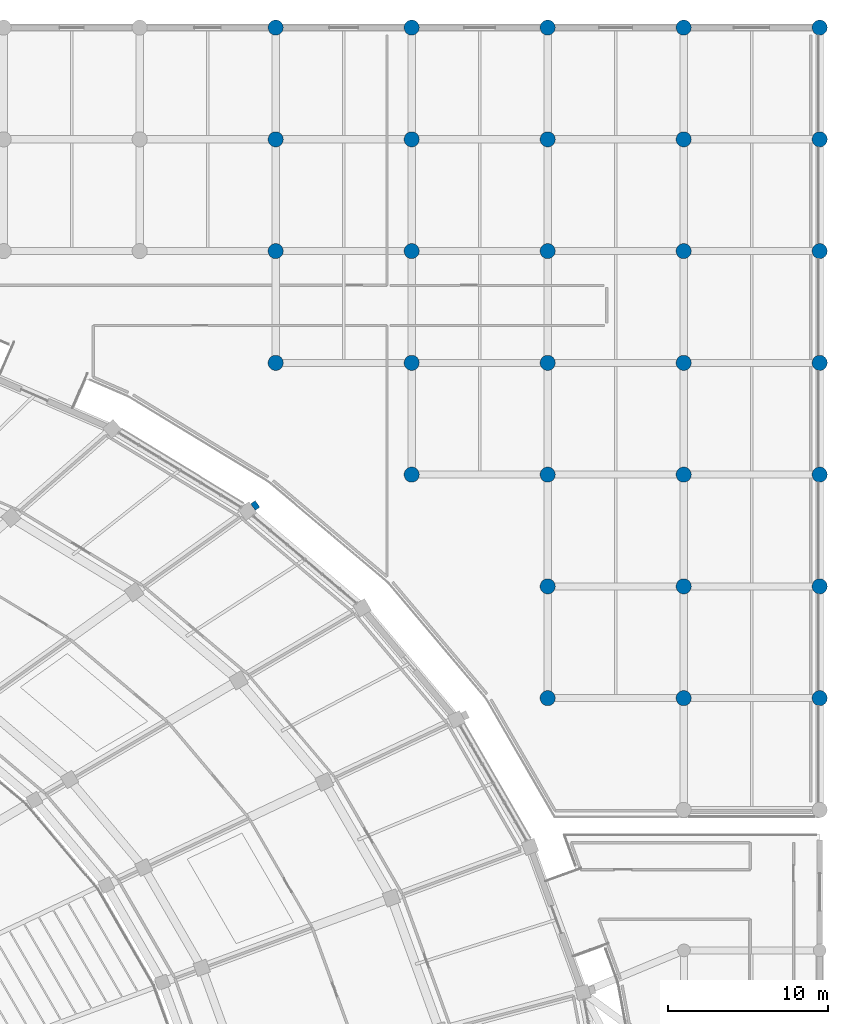
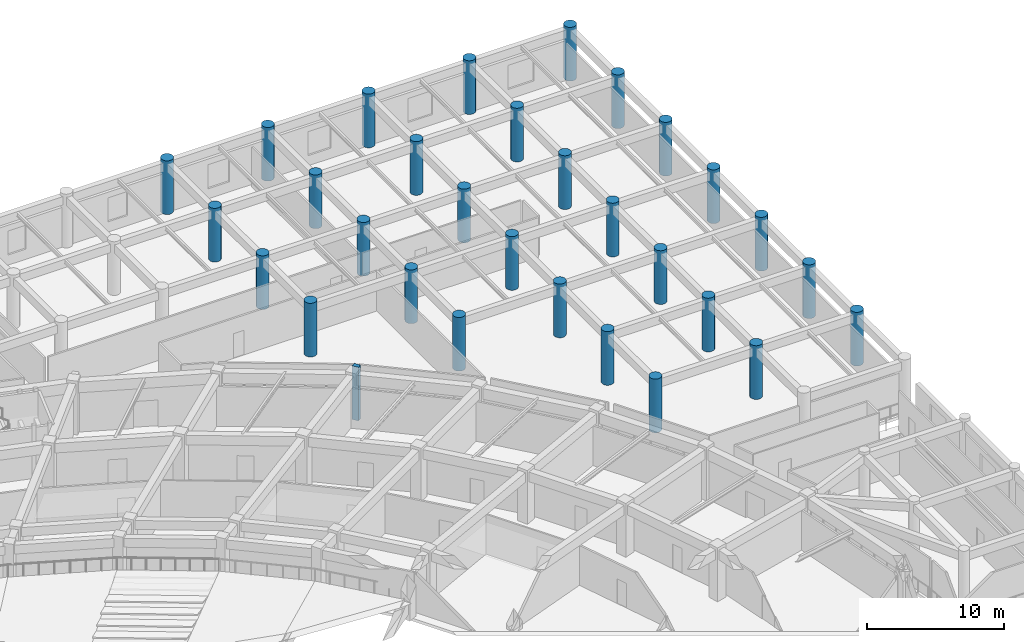
# One storey, part 10 of 152: 31 columns.
"""IFC4 building model written with IfcOpenShell, lengths in metres."""

import ifcopenshell
import ifcopenshell.guid

model = None  # the IFC model being written
_history = None  # IfcOwnerHistory: only IFC2X3 demands one
_inside = {}  # id of a spatial element -> (the spatial element, [elements in it])
_under = {}  # id of a project, library or spatial element -> (it, [spatial elements below it])
_declared = {}  # id of a project -> (the project, [libraries it declares])
_typed = {}  # id of a type object -> (the type object, [elements of that type])
_made_of = {}  # id of a material, layer set ... -> (it, [elements and type objects made of it])


def new_model(schema):
    """Start an empty IFC model of exactly this schema.

    Asked for "IFC4X3", IfcOpenShell would pick the latest addendum, in which some entities
    have other attributes; the version numbers below select the first issue.
    IFC2X3 requires an IfcOwnerHistory on every rooted entity: one is made here for all.
    """
    global model, _history
    if schema == "IFC4X3":
        model = ifcopenshell.file(schema_version=(4, 3, 0, 0))
    else:
        model = ifcopenshell.file(schema=schema)
    _inside.clear()
    _under.clear()
    _declared.clear()
    _typed.clear()
    _made_of.clear()
    _history = None
    if model.schema == "IFC2X3":
        org = make("IfcOrganization", Name="unknown")
        user = make(
            "IfcPersonAndOrganization",
            ThePerson=make("IfcPerson", FamilyName="unknown"),
            TheOrganization=org,
        )
        app = make(
            "IfcApplication",
            ApplicationDeveloper=org,
            Version="unknown",
            ApplicationFullName="unknown",
            ApplicationIdentifier="unknown",
        )
        _history = make(
            "IfcOwnerHistory",
            OwningUser=user,
            OwningApplication=app,
            ChangeAction="ADDED",
            CreationDate=0,
        )
    return model


def make(cls, **values):
    """One entity of the class cls with the attributes given. An attribute that is None is left unset."""
    return model.create_entity(
        cls, **{name: value for name, value in values.items() if value is not None}
    )


def rooted(cls, **values):
    """An entity with a GlobalId (a new one), such as an element, a storey or a relation."""
    return make(cls, GlobalId=ifcopenshell.guid.new(), OwnerHistory=_history, **values)


def si_unit(unit_type, name, prefix=None):
    """IfcSIUnit, for example si_unit("LENGTHUNIT", "METRE", prefix="MILLI")."""
    return make("IfcSIUnit", UnitType=unit_type, Prefix=prefix, Name=name)


def assignment(units):
    """IfcUnitAssignment: the units of a project."""
    return None if units is None else make("IfcUnitAssignment", Units=units)


def point(xyz):
    """IfcCartesianPoint."""
    return None if xyz is None else make("IfcCartesianPoint", Coordinates=xyz)


def direction(xyz):
    """IfcDirection."""
    return None if xyz is None else make("IfcDirection", DirectionRatios=xyz)


def frame(location, z_axis=None, x_axis=None):
    """IfcAxis2Placement3D, a coordinate frame: its origin and axes. An axis left out is left unset."""
    return make(
        "IfcAxis2Placement3D",
        Location=point(location),
        Axis=direction(z_axis),
        RefDirection=direction(x_axis),
    )


def frame_2d(location, x_axis=None):
    """IfcAxis2Placement2D, a coordinate frame in the plane: its origin and x axis."""
    return make(
        "IfcAxis2Placement2D", Location=point(location), RefDirection=direction(x_axis)
    )


def origin():
    """The frame at (0, 0, 0) with its axes left unset."""
    return frame((0.0, 0.0, 0.0))


def origin_2d():
    """The frame at (0, 0) in the plane with its x axis left unset."""
    return frame_2d((0.0, 0.0))


def place(relative_to, where):
    """IfcLocalPlacement: puts the frame where relative to a parent placement (None: the world)."""
    return make(
        "IfcLocalPlacement", PlacementRelTo=relative_to, RelativePlacement=where
    )


def context(
    kind, dimensions, precision=None, world=None, true_north=None, identifier=None
):
    """IfcGeometricRepresentationContext, for example the 3D "Model" context."""
    return make(
        "IfcGeometricRepresentationContext",
        ContextIdentifier=identifier,
        ContextType=kind,
        CoordinateSpaceDimension=dimensions,
        Precision=precision,
        WorldCoordinateSystem=world,
        TrueNorth=true_north,
    )


def subcontext(parent, identifier, kind, view, scale=None):
    """IfcGeometricRepresentationSubContext, for example "Body" below "Model"."""
    return make(
        "IfcGeometricRepresentationSubContext",
        ContextIdentifier=identifier,
        ContextType=kind,
        ParentContext=parent,
        TargetScale=scale,
        TargetView=view,
    )


def project(units=None, contexts=None):
    """IfcProject with its units and contexts."""
    return rooted(
        "IfcProject",
        Name="project",
        RepresentationContexts=contexts,
        UnitsInContext=assignment(units),
    )


def spatial(cls, under=None, at=None, **own):
    """A site, building, storey or space (cls), placed at a placement, below another one or the project."""
    s = rooted(cls, ObjectPlacement=at, **own)
    if under is not None:
        _under.setdefault(under.id(), (under, []))[1].append(s)
    return s


def profile(cls, at=None, kind="AREA", **sizes):
    """A parametric profile (cls). Its sizes go by their IFC names, for example OverallWidth=200.0."""
    return make(cls, ProfileType=kind, Position=at, **sizes)


def rectangle(**sizes):
    """IfcRectangleProfileDef."""
    return profile("IfcRectangleProfileDef", **sizes)


def circle(**sizes):
    """IfcCircleProfileDef."""
    return profile("IfcCircleProfileDef", **sizes)


def extrude(swept, where, along, depth):
    """IfcExtrudedAreaSolid: the profile swept, set in the frame where, extruded along a direction by depth."""
    return make(
        "IfcExtrudedAreaSolid",
        SweptArea=swept,
        Position=where,
        ExtrudedDirection=direction(along),
        Depth=depth,
    )


def shape(context_of_items, identifier, shape_type, items):
    """IfcShapeRepresentation: the items that make up one representation, for example the "Body"."""
    return make(
        "IfcShapeRepresentation",
        ContextOfItems=context_of_items,
        RepresentationIdentifier=identifier,
        RepresentationType=shape_type,
        Items=items,
    )


def material(Name=None, Category=None):
    """IfcMaterial."""
    return make("IfcMaterial", Name=Name, Category=Category)


def material_profile(
    of_material, cross_section, Name=None, Category=None, Priority=None
):
    """IfcMaterialProfile: a cross section and its material."""
    return make(
        "IfcMaterialProfile",
        Name=Name,
        Material=of_material,
        Profile=cross_section,
        Priority=Priority,
        Category=Category,
    )


def profile_set(profiles, Name=None, composite=None):
    """IfcMaterialProfileSet."""
    return make(
        "IfcMaterialProfileSet",
        Name=Name,
        MaterialProfiles=profiles,
        CompositeProfile=composite,
    )


def made_of(thing, what):
    """Note that an element or type object is made of a material, layer set ...; save() writes the relation."""
    if what is not None:
        _made_of.setdefault(what.id(), (what, []))[1].append(thing)
    return thing


def type_object(cls, material=None, **own):
    """A type object (cls), such as IfcWallType, which elements share."""
    return made_of(rooted(cls, **own), material)


def element(
    cls,
    number,
    at=None,
    inside=None,
    cuts=None,
    type_object=None,
    material=None,
    context=None,
    identifier="Body",
    shape_type=None,
    held_by="IfcProductDefinitionShape",
    body=None,
    shapes=None,
    **own,
):
    """One element of the class cls, such as IfcWall. Its Tag is "e" and its number.

    at: its placement. inside: the storey or other place that contains it. cuts: it is an
    opening in that element (IfcRelVoidsElement). A single representation is given by context,
    identifier, shape_type and body (its items); several are given by shapes. held_by: the class
    of the entity that holds the representations. save() writes the other relations.
    """
    e = rooted(cls, Tag="e%d" % number, ObjectPlacement=at, **own)
    if body is not None:
        shapes = [shape(context, identifier, shape_type, body)]
    if shapes is not None:
        e.Representation = make(held_by, Representations=shapes)
    if inside is not None:
        _inside.setdefault(inside.id(), (inside, []))[1].append(e)
    if cuts is not None:
        rooted(
            "IfcRelVoidsElement", RelatingBuildingElement=cuts, RelatedOpeningElement=e
        )
    if type_object is not None:
        _typed.setdefault(type_object.id(), (type_object, []))[1].append(e)
    return made_of(e, material)


def aggregate(whole, parts):
    """IfcRelAggregates: a whole, such as a stair, and the parts it consists of."""
    return rooted("IfcRelAggregates", RelatingObject=whole, RelatedObjects=parts)


def save(model, path):
    """Write the relations noted so far, then the file.

    IfcRelAggregates (storeys below a building ...), IfcRelContainedInSpatialStructure (elements
    in a storey), IfcRelDefinesByType, IfcRelAssociatesMaterial and IfcRelDeclares: one each for
    every whole, place, type object, material and project.
    """
    for whole, parts in _under.values():
        aggregate(whole, parts)
    for where, things in _inside.values():
        rooted(
            "IfcRelContainedInSpatialStructure",
            RelatedElements=things,
            RelatingStructure=where,
        )
    for kind, things in _typed.values():
        rooted("IfcRelDefinesByType", RelatedObjects=things, RelatingType=kind)
    for what, things in _made_of.values():
        rooted("IfcRelAssociatesMaterial", RelatedObjects=things, RelatingMaterial=what)
    for by, libraries in _declared.values():
        rooted("IfcRelDeclares", RelatingContext=by, RelatedDefinitions=libraries)
    model.write(path)


model = new_model("IFC4")

# Units and contexts
model_context = context("Model", 3, precision=1e-05, world=origin(), true_north=direction((0.0, 1.0)))
body_context = subcontext(model_context, "Body", "Model", "MODEL_VIEW")
ifc_project = project(units=[si_unit("LENGTHUNIT", "METRE"), si_unit("AREAUNIT", "SQUARE_METRE"), si_unit("VOLUMEUNIT", "CUBIC_METRE"), si_unit("PLANEANGLEUNIT", "RADIAN"), si_unit("MASSUNIT", "GRAM", prefix="KILO")], contexts=[model_context])

# Site, building, storey
site_placement = place(None, origin())
site = spatial("IfcSite", under=ifc_project, at=site_placement, CompositionType="ELEMENT")
building_placement = place(site_placement, origin())
building = spatial("IfcBuilding", under=site, at=building_placement, Name="Mphavela Belvedere Stadium", CompositionType="ELEMENT")
storey_placement = place(building_placement, frame((0.0, 0.0, 5.39990234375)))
storey = spatial("IfcBuildingStorey", under=building, at=storey_placement, Name="L01", CompositionType="ELEMENT", Elevation=5.39990234375)

# Columns
ifc_material_1 = material(Name="Concrete C40/50", Category="concrete")
ifc_material_profile_1 = material_profile(ifc_material_1, circle(Radius=0.47509765625, at=origin_2d()), Name="COL D950")
ifc_profile_set_1 = profile_set([ifc_material_profile_1], Name="Concrete C40/50")
column_type_1 = type_object("IfcColumnType", Name="COL-DORIC-950", PredefinedType="COLUMN", material=ifc_profile_set_1)
for number, where, z_axis, x_axis, name in (
    (1, (195.926025390625, 153.0, 0.0), (0.0, 0.0, 1.0), (1.0, 0.0, 0.0), "North Mast and Ceremonial End Forecourt classical column L01 24-5"),
    (2, (195.926025390625, 160.0, 0.0), (0.0, 0.0, 1.0), (1.0, 0.0, 0.0), "North Mast and Ceremonial End Forecourt classical column L01 24-6"),
    (3, (195.926025390625, 167.0, 0.0), (0.0, 0.0, 1.0), (1.0, 0.0, 0.0), "North Mast and Ceremonial End Forecourt classical column L01 24-7"),
    (4, (195.926025390625, 174.0, 0.0), (0.0, 0.0, 1.0), (1.0, 0.0, 0.0), "North Mast and Ceremonial End Forecourt classical column L01 24-8"),
    (5, (204.444091796875, 146.0, 0.0), (0.0, 0.0, 1.0), (1.0, 0.0, 0.0), "North Mast and Ceremonial End Forecourt classical column L01 25-4"),
    (6, (204.444091796875, 153.0, 0.0), (0.0, 0.0, 1.0), (1.0, 0.0, 0.0), "North Mast and Ceremonial End Forecourt classical column L01 25-5"),
    (7, (204.444091796875, 160.0, 0.0), (0.0, 0.0, 1.0), (1.0, 0.0, 0.0), "North Mast and Ceremonial End Forecourt classical column L01 25-6"),
    (8, (204.444091796875, 167.0, 0.0), (0.0, 0.0, 1.0), (1.0, 0.0, 0.0), "North Mast and Ceremonial End Forecourt classical column L01 25-7"),
    (9, (204.444091796875, 174.0, 0.0), (0.0, 0.0, 1.0), (1.0, 0.0, 0.0), "North Mast and Ceremonial End Forecourt classical column L01 25-8"),
    (10, (212.962890625, 132.0, 0.0), (0.0, 0.0, 1.0), (1.0, 0.0, 0.0), "North Mast and Ceremonial End Forecourt classical column L01 26-2"),
    (11, (212.962890625, 139.0, 0.0), (0.0, 0.0, 1.0), (1.0, 0.0, 0.0), "North Mast and Ceremonial End Forecourt classical column L01 26-3"),
    (12, (212.962890625, 146.0, 0.0), (0.0, 0.0, 1.0), (1.0, 0.0, 0.0), "North Mast and Ceremonial End Forecourt classical column L01 26-4"),
    (13, (212.962890625, 153.0, 0.0), (0.0, 0.0, 1.0), (1.0, 0.0, 0.0), "North Mast and Ceremonial End Forecourt classical column L01 26-5"),
    (14, (212.962890625, 160.0, 0.0), (0.0, 0.0, 1.0), (1.0, 0.0, 0.0), "North Mast and Ceremonial End Forecourt classical column L01 26-6"),
    (15, (212.962890625, 167.0, 0.0), (0.0, 0.0, 1.0), (1.0, 0.0, 0.0), "North Mast and Ceremonial End Forecourt classical column L01 26-7"),
    (16, (212.962890625, 174.0, 0.0), (0.0, 0.0, 1.0), (1.0, 0.0, 0.0), "North Mast and Ceremonial End Forecourt classical column L01 26-8"),
    (17, (221.48095703125, 132.0, 0.0), (0.0, 0.0, 1.0), (1.0, 0.0, 0.0), "North Mast and Ceremonial End Forecourt classical column L01 27-2"),
    (18, (221.48095703125, 139.0, 0.0), (0.0, 0.0, 1.0), (1.0, 0.0, 0.0), "North Mast and Ceremonial End Forecourt classical column L01 27-3"),
    (19, (221.48095703125, 146.0, 0.0), (0.0, 0.0, 1.0), (1.0, 0.0, 0.0), "North Mast and Ceremonial End Forecourt classical column L01 27-4"),
    (20, (221.48095703125, 153.0, 0.0), (0.0, 0.0, 1.0), (1.0, 0.0, 0.0), "North Mast and Ceremonial End Forecourt classical column L01 27-5"),
    (21, (221.48095703125, 160.0, 0.0), (0.0, 0.0, 1.0), (1.0, 0.0, 0.0), "North Mast and Ceremonial End Forecourt classical column L01 27-6"),
    (22, (221.48095703125, 167.0, 0.0), (0.0, 0.0, 1.0), (1.0, 0.0, 0.0), "North Mast and Ceremonial End Forecourt classical column L01 27-7"),
    (23, (221.48095703125, 174.0, 0.0), (0.0, 0.0, 1.0), (1.0, 0.0, 0.0), "North Mast and Ceremonial End Forecourt classical column L01 27-8"),
    (24, (230.0, 132.0, 0.0), (0.0, 0.0, 1.0), (1.0, 0.0, 0.0), "North Mast and Ceremonial End Forecourt classical column L01 28-2"),
    (25, (230.0, 139.0, 0.0), (0.0, 0.0, 1.0), (1.0, 0.0, 0.0), "North Mast and Ceremonial End Forecourt classical column L01 28-3"),
    (26, (230.0, 146.0, 0.0), (0.0, 0.0, 1.0), (1.0, 0.0, 0.0), "North Mast and Ceremonial End Forecourt classical column L01 28-4"),
    (27, (230.0, 153.0, 0.0), (0.0, 0.0, 1.0), (1.0, 0.0, 0.0), "North Mast and Ceremonial End Forecourt classical column L01 28-5"),
    (28, (230.0, 160.0, 0.0), (0.0, 0.0, 1.0), (1.0, 0.0, 0.0), "North Mast and Ceremonial End Forecourt classical column L01 28-6"),
    (29, (230.0, 167.0, 0.0), (0.0, 0.0, 1.0), (1.0, 0.0, 0.0), "North Mast and Ceremonial End Forecourt classical column L01 28-7"),
    (30, (230.0, 174.0, 0.0), (0.0, 0.0, 1.0), (1.0, 0.0, 0.0), "North Mast and Ceremonial End Forecourt classical column L01 28-8"),
):
    element("IfcColumn", number, at=place(storey_placement, frame(where, z_axis=z_axis, x_axis=x_axis)), inside=storey, type_object=column_type_1, Name=name, PredefinedType="COLUMN", context=body_context, shape_type="SweptSolid", body=[
        extrude(circle(Radius=0.47509765625, at=origin_2d()), origin(), (0.0, 0.0, 1.0), 4.800048828125),
    ])
ifc_material_2 = material(Name="Concrete C40/50", Category="concrete")
ifc_material_profile_2 = material_profile(ifc_material_2, rectangle(XDim=0.5, YDim=0.35009765625, at=origin_2d()), Name="PIL 500x350")
ifc_profile_set_2 = profile_set([ifc_material_profile_2], Name="Concrete C40/50")
column_type_2 = type_object("IfcColumnType", Name="PIL-FLUTED-500", PredefinedType="PILASTER", material=ifc_profile_set_2)
column_placement = place(storey_placement, frame((194.645751953125, 144.065673828125, 0.0), z_axis=(0.0, 0.0, 1.0), x_axis=(-0.582406760395, 0.812897512265, 0.0)))
element("IfcColumn", 31, at=column_placement, inside=storey, type_object=column_type_2, Name="Fluted classical pilaster L01-07", PredefinedType="PILASTER", context=body_context, shape_type="SweptSolid", body=[
    extrude(rectangle(XDim=0.5, YDim=0.35009765625, at=origin_2d()), origin(), (0.0, 0.0, 1.0), 4.800048828125),
])

save(model, "model.ifc")
